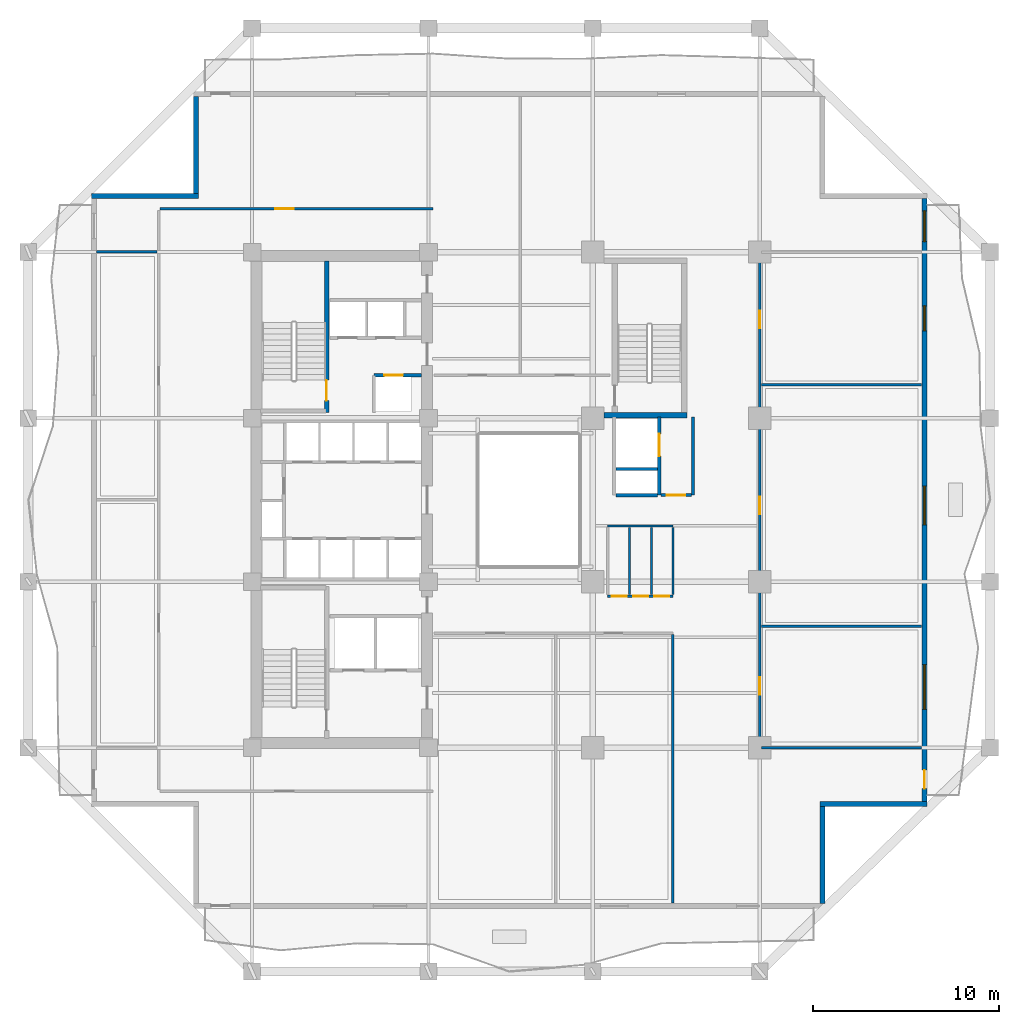
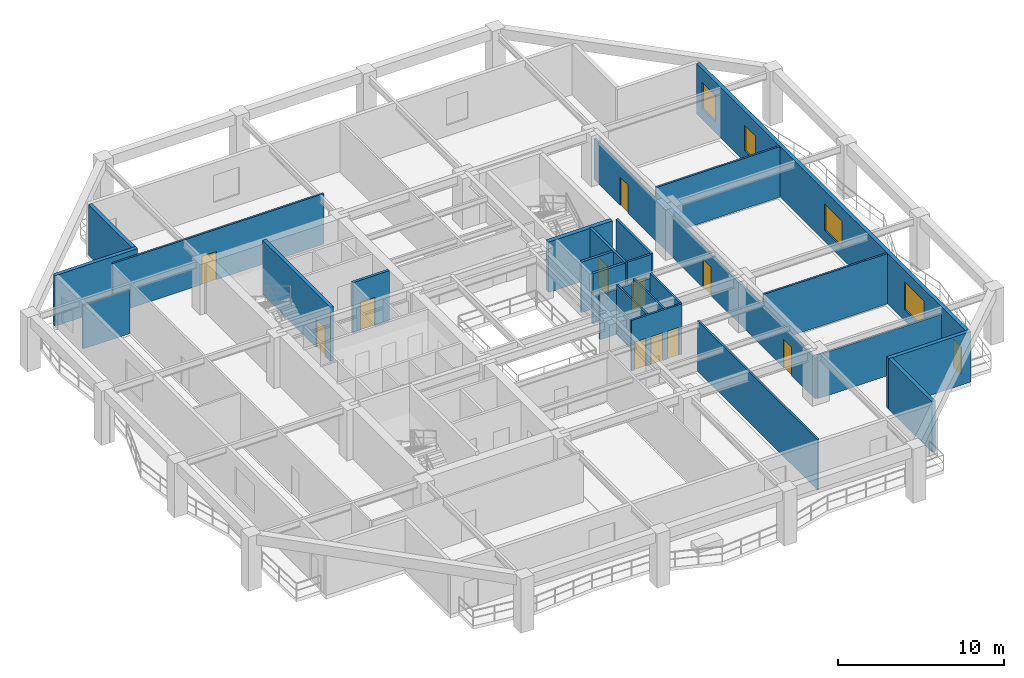
# One storey, part 4 of 12: 25 walls, 12 doors, 4 windows, 16 openings.
"""IFC4 building model written with IfcOpenShell, lengths in metres."""

from ifc_helpers import new_model, si_unit, direction, frame, frame_2d, origin, place, context, subcontext, project, spatial, rectangle, extrude, material, layer, layer_set, type_object, element, fill, save


model = new_model("IFC4")

# Units and contexts
model_context = context("Model", 3, precision=1e-05, world=origin(), true_north=direction((0.0, 1.0)))
body_context = subcontext(model_context, "Body", "Model", "MODEL_VIEW")
ifc_project = project(units=[si_unit("LENGTHUNIT", "METRE"), si_unit("AREAUNIT", "SQUARE_METRE"), si_unit("VOLUMEUNIT", "CUBIC_METRE"), si_unit("PLANEANGLEUNIT", "RADIAN"), si_unit("MASSUNIT", "GRAM", prefix="KILO")], contexts=[model_context])

# Site, building, storey
site_placement = place(None, origin())
site = spatial("IfcSite", under=ifc_project, at=site_placement, CompositionType="ELEMENT")
building_placement = place(site_placement, origin())
building = spatial("IfcBuilding", under=site, at=building_placement, Name="Kundavana Baori Tower", CompositionType="ELEMENT")
storey_placement = place(building_placement, frame((0.0, 0.0, 42.0)))
storey = spatial("IfcBuildingStorey", under=building, at=storey_placement, Name="L09", CompositionType="ELEMENT", Elevation=42.0)

# Wall, opening, door
ifc_material_1 = material(Name="Concrete C50/60", Category="concrete")
ifc_layer_1 = layer(ifc_material_1, 0.39990234375, Name="WL-CORE-400")
ifc_layer_set_1 = layer_set([ifc_layer_1], Name="Concrete C50/60")
wall_type_1 = type_object("IfcWallType", Name="WL-CORE-400", PredefinedType="SHEAR", material=ifc_layer_set_1)
wall_1_placement = place(storey_placement, frame((19.4599609375, 33.300048828125, 0.0), z_axis=(0.0, 0.0, 1.0), x_axis=(0.0, 1.0, 0.0)))
wall_1 = element("IfcWall", 1, at=wall_1_placement, inside=storey, type_object=wall_type_1, Name="WL-L09-ST2-E", PredefinedType="SHEAR", context=body_context, shape_type="SweptSolid", body=[
    extrude(rectangle(XDim=8.179931640625, YDim=0.239990234375, at=frame_2d((4.08984375, 0.0))), origin(), (0.0, 0.0, 1.0), 4.0),
])
opening_1_placement = place(wall_1_placement, frame((0.64990234375, 0.0, 0.0)))
opening_1 = element("IfcOpeningElement", 2, at=opening_1_placement, cuts=wall_1, Name="Opening FD-110", PredefinedType="OPENING", context=body_context, shape_type="SweptSolid", body=[
    extrude(rectangle(XDim=1.10009765625, YDim=2.10009765625, at=frame_2d((0.550048828125, 1.050048828125))), frame((0.0, 0.1298828125, 0.0), z_axis=(0.0, -1.0, 0.0), x_axis=(1.0, 0.0, 0.0)), (0.0, 0.0, 1.0), 0.260009765625),
])
ifc_material_2 = material(Name="Galvanised Steel Fire-Rated Door Leaf", Category="steel")
door_type_1 = type_object("IfcDoorType", Name="DR-FD120-1100", OperationType="NOTDEFINED", PredefinedType="DOOR", material=ifc_material_2)
door_1_placement = place(opening_1_placement, origin())
door_1 = element("IfcDoor", 3, at=door_1_placement, inside=storey, type_object=door_type_1, Name="DR-L09-ST2", OperationType="SINGLE_SWING_RIGHT", OverallHeight=2.10009765625, OverallWidth=1.10009765625, PredefinedType="DOOR", context=body_context, shape_type="SweptSolid", body=[
    extrude(rectangle(XDim=1.10009765625, YDim=2.10009765625, at=frame_2d((0.550048828125, 1.050048828125))), frame((0.0, 0.02490234375, 0.0), z_axis=(0.0, -1.0, 0.0), x_axis=(1.0, 0.0, 0.0)), (0.0, 0.0, 1.0), 0.050048828125),
])
fill(opening_1, door_1)

# Walls
ifc_material_3 = material(Name="Kiln-Fired Terracotta Brick-Slip Masonry on Concrete C40/50", Category="masonry")
ifc_layer_2 = layer(ifc_material_3, 0.260009765625, Name="WL-EXT-BRK-260")
ifc_layer_set_2 = layer_set([ifc_layer_2], Name="Kiln-Fired Terracotta Brick-Slip Masonry on Concrete C40/50")
wall_type_2 = type_object("IfcWallType", Name="WL-EXT-BRK-260", PredefinedType="SOLIDWALL", material=ifc_layer_set_2)
wall_2_placement = place(storey_placement, frame((46.169921875, 6.860107421875, 0.0), z_axis=(0.0, 0.0, 1.0), x_axis=(0.0, 1.0, 0.0)))
element("IfcWall", 4, at=wall_2_placement, inside=storey, type_object=wall_type_2, Name="L09 Exterior Insulated Facade Wall 02", PredefinedType="SOLIDWALL", context=body_context, shape_type="SweptSolid", body=[
    extrude(rectangle(XDim=5.239990234375, YDim=0.260009765625, at=frame_2d((2.6201171875, 0.0))), origin(), (0.0, 0.0, 1.0), 3.719970703125),
])
wall_3_placement = place(storey_placement, frame((46.0400390625, 12.22998046875, 0.0), z_axis=(0.0, 0.0, 1.0), x_axis=(1.0, 0.0, 0.0)))
element("IfcWall", 5, at=wall_3_placement, inside=storey, type_object=wall_type_2, Name="L09 Exterior Insulated Facade Wall 03", PredefinedType="SOLIDWALL", context=body_context, shape_type="SweptSolid", body=[
    extrude(rectangle(XDim=5.760009765625, YDim=0.260009765625, at=frame_2d((2.8798828125, 0.0))), origin(), (0.0, 0.0, 1.0), 3.719970703125),
])

# Wall, openings, door, windows
wall_4_placement = place(storey_placement, frame((51.669921875, 12.360107421875, 0.0), z_axis=(0.0, 0.0, 1.0), x_axis=(0.0, 1.0, 0.0)))
wall_4 = element("IfcWall", 6, at=wall_4_placement, inside=storey, type_object=wall_type_2, Name="L09 Exterior Insulated Facade Wall 04", PredefinedType="SOLIDWALL", context=body_context, shape_type="SweptSolid", body=[
    extrude(rectangle(XDim=32.47998046875, YDim=0.260009765625, at=frame_2d((16.239990234375, 0.0))), origin(), (0.0, 0.0, 1.0), 3.719970703125),
])
opening_2_placement = place(wall_4_placement, frame((0.68994140625, 0.0, 0.0)))
opening_2 = element("IfcOpeningElement", 7, at=opening_2_placement, cuts=wall_4, Name="Opening BD-1", PredefinedType="OPENING", context=body_context, shape_type="SweptSolid", body=[
    extrude(rectangle(XDim=1.0, YDim=2.050048828125, at=frame_2d((0.5, 1.02490234375))), frame((0.0, 0.14013671875, 0.0), z_axis=(0.0, -1.0, 0.0), x_axis=(1.0, 0.0, 0.0)), (0.0, 0.0, 1.0), 0.280029296875),
])
opening_3_placement = place(wall_4_placement, frame((4.965087890625, 0.0, 0.800048828125)))
opening_3 = element("IfcOpeningElement", 8, at=opening_3_placement, cuts=wall_4, Name="Opening W-04", PredefinedType="OPENING", context=body_context, shape_type="SweptSolid", body=[
    extrude(rectangle(XDim=2.39990234375, YDim=2.050048828125, at=frame_2d((1.199951171875, 1.02490234375))), frame((0.0, 0.14013671875, 0.0), z_axis=(0.0, -1.0, 0.0), x_axis=(1.0, 0.0, 0.0)), (0.0, 0.0, 1.0), 0.280029296875),
])
opening_4_placement = place(wall_4_placement, frame((14.889892578125, 0.0, 0.800048828125)))
opening_4 = element("IfcOpeningElement", 9, at=opening_4_placement, cuts=wall_4, Name="Opening W-05", PredefinedType="OPENING", context=body_context, shape_type="SweptSolid", body=[
    extrude(rectangle(XDim=2.10009765625, YDim=1.949951171875, at=frame_2d((1.050048828125, 0.97509765625))), frame((0.0, 0.14013671875, 0.0), z_axis=(0.0, -1.0, 0.0), x_axis=(1.0, 0.0, 0.0)), (0.0, 0.0, 1.0), 0.280029296875),
])
opening_5_placement = place(wall_4_placement, frame((25.340087890625, 0.0, 0.800048828125)))
opening_5 = element("IfcOpeningElement", 10, at=opening_5_placement, cuts=wall_4, Name="Opening W-07", PredefinedType="OPENING", context=body_context, shape_type="SweptSolid", body=[
    extrude(rectangle(XDim=1.35009765625, YDim=1.89990234375, at=frame_2d((0.675048828125, 0.949951171875))), frame((0.0, 0.14013671875, 0.0), z_axis=(0.0, -1.0, 0.0), x_axis=(1.0, 0.0, 0.0)), (0.0, 0.0, 1.0), 0.280029296875),
])
opening_6_placement = place(wall_4_placement, frame((30.155029296875, 0.0, 0.800048828125)))
opening_6 = element("IfcOpeningElement", 11, at=opening_6_placement, cuts=wall_4, Name="Opening W-08", PredefinedType="OPENING", context=body_context, shape_type="SweptSolid", body=[
    extrude(rectangle(XDim=1.64990234375, YDim=1.949951171875, at=frame_2d((0.824951171875, 0.97509765625))), frame((0.0, 0.14013671875, 0.0), z_axis=(0.0, -1.0, 0.0), x_axis=(1.0, 0.0, 0.0)), (0.0, 0.0, 1.0), 0.280029296875),
])
ifc_material_4 = material(Name="Architectural Patinated Bronze Metalwork")
door_type_2 = type_object("IfcDoorType", Name="DR-EXT-LOG-1000", OperationType="NOTDEFINED", PredefinedType="DOOR", material=ifc_material_4)
door_2_placement = place(opening_2_placement, frame((1.0, 0.0, 0.0), z_axis=(0.0, 0.0, 1.0), x_axis=(-1.0, 0.0, 0.0)))
door_2 = element("IfcDoor", 12, at=door_2_placement, inside=storey, type_object=door_type_2, Name="L09 Loggia Balcony Access Door E", OperationType="SINGLE_SWING_RIGHT", OverallHeight=2.050048828125, OverallWidth=1.0, PredefinedType="DOOR", context=body_context, shape_type="SweptSolid", body=[
    extrude(rectangle(XDim=1.0, YDim=2.050048828125, at=frame_2d((0.5, 1.02490234375))), frame((0.0, 0.02490234375, 0.0), z_axis=(0.0, -1.0, 0.0), x_axis=(1.0, 0.0, 0.0)), (0.0, 0.0, 1.0), 0.050048828125),
])
fill(opening_2, door_2)
ifc_material_5 = material(Name="Double-Glazed Solar-Control Low-E Insulated Glass", Category="glass")
window_type_1 = type_object("IfcWindowType", Name="WIN-LOG-1350x1900", PartitioningType="SINGLE_PANEL", PredefinedType="WINDOW", material=ifc_material_5)
window_1_placement = place(opening_5_placement, origin())
window_1 = element("IfcWindow", 13, at=window_1_placement, inside=storey, type_object=window_type_1, Name="L09 Recessed Loggia Window E-4", OverallHeight=1.89990234375, OverallWidth=1.35009765625, PartitioningType="SINGLE_PANEL", PredefinedType="WINDOW", context=body_context, shape_type="SweptSolid", body=[
    extrude(rectangle(XDim=1.35009765625, YDim=1.89990234375, at=frame_2d((0.675048828125, 0.949951171875))), frame((0.0, 0.030029296875, 0.0), z_axis=(0.0, -1.0, 0.0), x_axis=(1.0, 0.0, 0.0)), (0.0, 0.0, 1.0), 0.06005859375),
])
fill(opening_5, window_1)
ifc_material_6 = material(Name="Double-Glazed Solar-Control Low-E Insulated Glass", Category="glass")
window_type_2 = type_object("IfcWindowType", Name="WIN-LOG-1650x1950", PartitioningType="SINGLE_PANEL", PredefinedType="WINDOW", material=ifc_material_6)
window_2_placement = place(opening_6_placement, origin())
window_2 = element("IfcWindow", 14, at=window_2_placement, inside=storey, type_object=window_type_2, Name="L09 Recessed Loggia Window E-5", OverallHeight=1.949951171875, OverallWidth=1.64990234375, PartitioningType="SINGLE_PANEL", PredefinedType="WINDOW", context=body_context, shape_type="SweptSolid", body=[
    extrude(rectangle(XDim=1.64990234375, YDim=1.949951171875, at=frame_2d((0.824951171875, 0.97509765625))), frame((0.0, 0.030029296875, 0.0), z_axis=(0.0, -1.0, 0.0), x_axis=(1.0, 0.0, 0.0)), (0.0, 0.0, 1.0), 0.06005859375),
])
fill(opening_6, window_2)
ifc_material_7 = material(Name="Double-Glazed Solar-Control Low-E Insulated Glass", Category="glass")
window_type_3 = type_object("IfcWindowType", Name="WIN-LOG-2100x1950", PartitioningType="SINGLE_PANEL", PredefinedType="WINDOW", material=ifc_material_7)
window_3_placement = place(opening_4_placement, origin())
window_3 = element("IfcWindow", 15, at=window_3_placement, inside=storey, type_object=window_type_3, Name="L09 Recessed Loggia Window E-3", OverallHeight=1.949951171875, OverallWidth=2.10009765625, PartitioningType="SINGLE_PANEL", PredefinedType="WINDOW", context=body_context, shape_type="SweptSolid", body=[
    extrude(rectangle(XDim=2.10009765625, YDim=1.949951171875, at=frame_2d((1.050048828125, 0.97509765625))), frame((0.0, 0.030029296875, 0.0), z_axis=(0.0, -1.0, 0.0), x_axis=(1.0, 0.0, 0.0)), (0.0, 0.0, 1.0), 0.06005859375),
])
fill(opening_4, window_3)
ifc_material_8 = material(Name="Double-Glazed Solar-Control Low-E Insulated Glass", Category="glass")
window_type_4 = type_object("IfcWindowType", Name="WIN-LOG-2400x2050", PartitioningType="SINGLE_PANEL", PredefinedType="WINDOW", material=ifc_material_8)
window_4_placement = place(opening_3_placement, origin())
window_4 = element("IfcWindow", 16, at=window_4_placement, inside=storey, type_object=window_type_4, Name="L09 Recessed Loggia Window E-2", OverallHeight=2.050048828125, OverallWidth=2.39990234375, PartitioningType="SINGLE_PANEL", PredefinedType="WINDOW", context=body_context, shape_type="SweptSolid", body=[
    extrude(rectangle(XDim=2.39990234375, YDim=2.050048828125, at=frame_2d((1.199951171875, 1.02490234375))), frame((0.0, 0.030029296875, 0.0), z_axis=(0.0, -1.0, 0.0), x_axis=(1.0, 0.0, 0.0)), (0.0, 0.0, 1.0), 0.06005859375),
])
fill(opening_3, window_4)

# Walls
wall_5_placement = place(storey_placement, frame((12.429931640625, 50.340087890625, 0.0), z_axis=(0.0, 0.0, 1.0), x_axis=(0.0, -1.0, 0.0)))
element("IfcWall", 17, at=wall_5_placement, inside=storey, type_object=wall_type_2, Name="L09 Exterior Insulated Facade Wall 08", PredefinedType="SOLIDWALL", context=body_context, shape_type="SweptSolid", body=[
    extrude(rectangle(XDim=5.239990234375, YDim=0.260009765625, at=frame_2d((2.6201171875, 0.0))), origin(), (0.0, 0.0, 1.0), 3.719970703125),
])
wall_6_placement = place(storey_placement, frame((12.56005859375, 44.969970703125, 0.0), z_axis=(0.0, 0.0, 1.0), x_axis=(-1.0, 0.0, 0.0)))
element("IfcWall", 18, at=wall_6_placement, inside=storey, type_object=wall_type_2, Name="L09 Exterior Insulated Facade Wall 09", PredefinedType="SOLIDWALL", context=body_context, shape_type="SweptSolid", body=[
    extrude(rectangle(XDim=5.760009765625, YDim=0.260009765625, at=frame_2d((2.8798828125, 0.0))), origin(), (0.0, 0.0, 1.0), 3.719970703125),
])
ifc_material_9 = material(Name="Acoustic Gypsum Plasterboard on Galvanised Steel Studs", Category="steel")
ifc_layer_3 = layer(ifc_material_9, 0.135009765625, Name="WL-PART-135")
ifc_layer_set_3 = layer_set([ifc_layer_3], Name="Acoustic Gypsum Plasterboard on Galvanised Steel Studs")
wall_type_3 = type_object("IfcWallType", Name="WL-PART-135", PredefinedType="PARTITIONING", material=ifc_layer_set_3)
wall_7_placement = place(storey_placement, frame((38.1201171875, 6.8798828125, 0.0), z_axis=(0.0, 0.0, 1.0), x_axis=(0.0, 1.0, 0.0)))
element("IfcWall", 19, at=wall_7_placement, inside=storey, type_object=wall_type_3, Name="WL-L09-OFSEND", PredefinedType="PARTITIONING", context=body_context, shape_type="SweptSolid", body=[
    extrude(rectangle(XDim=14.460205078125, YDim=0.135009765625, at=frame_2d((7.22998046875, 0.0))), origin(), (0.0, 0.0, 1.0), 3.719970703125),
])

# Wall, openings, doors
wall_8_placement = place(storey_placement, frame((34.60009765625, 23.419921875, 0.0), z_axis=(0.0, 0.0, 1.0), x_axis=(1.0, 0.0, 0.0)))
wall_8 = element("IfcWall", 20, at=wall_8_placement, inside=storey, type_object=wall_type_3, Name="WL-L09-OFST", PredefinedType="PARTITIONING", context=body_context, shape_type="SweptSolid", body=[
    extrude(rectangle(XDim=3.52001953125, YDim=0.135009765625, at=frame_2d((1.760009765625, 0.0))), origin(), (0.0, 0.0, 1.0), 3.719970703125),
])
opening_7_placement = place(wall_8_placement, frame((0.219970703125, 0.0, 0.0)))
opening_7 = element("IfcOpeningElement", 21, at=opening_7_placement, cuts=wall_8, Name="Opening WD-080", PredefinedType="OPENING", context=body_context, shape_type="SweptSolid", body=[
    extrude(rectangle(XDim=0.800048828125, YDim=2.050048828125, at=frame_2d((0.39990234375, 1.02490234375))), frame((0.0, 0.07763671875, 0.0), z_axis=(0.0, -1.0, 0.0), x_axis=(1.0, 0.0, 0.0)), (0.0, 0.0, 1.0), 0.155029296875),
])
opening_8_placement = place(wall_8_placement, frame((1.3798828125, 0.0, 0.0)))
opening_8 = element("IfcOpeningElement", 22, at=opening_8_placement, cuts=wall_8, Name="Opening WD-080", PredefinedType="OPENING", context=body_context, shape_type="SweptSolid", body=[
    extrude(rectangle(XDim=0.800048828125, YDim=2.050048828125, at=frame_2d((0.39990234375, 1.02490234375))), frame((0.0, 0.07763671875, 0.0), z_axis=(0.0, -1.0, 0.0), x_axis=(1.0, 0.0, 0.0)), (0.0, 0.0, 1.0), 0.155029296875),
])
opening_9_placement = place(wall_8_placement, frame((2.52001953125, 0.0, 0.0)))
opening_9 = element("IfcOpeningElement", 23, at=opening_9_placement, cuts=wall_8, Name="Opening WD-080", PredefinedType="OPENING", context=body_context, shape_type="SweptSolid", body=[
    extrude(rectangle(XDim=0.800048828125, YDim=2.050048828125, at=frame_2d((0.39990234375, 1.02490234375))), frame((0.0, 0.07763671875, 0.0), z_axis=(0.0, -1.0, 0.0), x_axis=(1.0, 0.0, 0.0)), (0.0, 0.0, 1.0), 0.155029296875),
])
ifc_material_10 = material(Name="Engineered Teak Solid-Core Timber Veneer", Category="wood")
door_type_3 = type_object("IfcDoorType", Name="DR-WET-800", OperationType="NOTDEFINED", PredefinedType="DOOR", material=ifc_material_10)
door_3_placement = place(opening_7_placement, origin())
door_3 = element("IfcDoor", 24, at=door_3_placement, inside=storey, type_object=door_type_3, Name="DR-L09-WCM", OperationType="SINGLE_SWING_LEFT", OverallHeight=2.050048828125, OverallWidth=0.800048828125, PredefinedType="DOOR", context=body_context, shape_type="SweptSolid", body=[
    extrude(rectangle(XDim=0.800048828125, YDim=2.050048828125, at=frame_2d((0.39990234375, 1.02490234375))), frame((0.0, 0.02490234375, 0.0), z_axis=(0.0, -1.0, 0.0), x_axis=(1.0, 0.0, 0.0)), (0.0, 0.0, 1.0), 0.050048828125),
])
fill(opening_7, door_3)
door_4_placement = place(opening_8_placement, origin())
door_4 = element("IfcDoor", 25, at=door_4_placement, inside=storey, type_object=door_type_3, Name="DR-L09-WCA", OperationType="SINGLE_SWING_RIGHT", OverallHeight=2.050048828125, OverallWidth=0.800048828125, PredefinedType="DOOR", context=body_context, shape_type="SweptSolid", body=[
    extrude(rectangle(XDim=0.800048828125, YDim=2.050048828125, at=frame_2d((0.39990234375, 1.02490234375))), frame((0.0, 0.02490234375, 0.0), z_axis=(0.0, -1.0, 0.0), x_axis=(1.0, 0.0, 0.0)), (0.0, 0.0, 1.0), 0.050048828125),
])
fill(opening_8, door_4)
door_5_placement = place(opening_9_placement, origin())
door_5 = element("IfcDoor", 26, at=door_5_placement, inside=storey, type_object=door_type_3, Name="DR-L09-PNT", OperationType="SINGLE_SWING_LEFT", OverallHeight=2.050048828125, OverallWidth=0.800048828125, PredefinedType="DOOR", context=body_context, shape_type="SweptSolid", body=[
    extrude(rectangle(XDim=0.800048828125, YDim=2.050048828125, at=frame_2d((0.39990234375, 1.02490234375))), frame((0.0, 0.02490234375, 0.0), z_axis=(0.0, -1.0, 0.0), x_axis=(1.0, 0.0, 0.0)), (0.0, 0.0, 1.0), 0.050048828125),
])
fill(opening_9, door_5)

wall_9_placement = place(storey_placement, frame((42.800048828125, 15.25, 0.0), z_axis=(0.0, 0.0, 1.0), x_axis=(0.0, 1.0, 0.0)))
wall_9 = element("IfcWall", 27, at=wall_9_placement, inside=storey, type_object=wall_type_3, Name="WL-L09-OFE", PredefinedType="PARTITIONING", context=body_context, shape_type="SweptSolid", body=[
    extrude(rectangle(XDim=26.699951171875, YDim=0.135009765625, at=frame_2d((13.35009765625, 0.0))), origin(), (0.0, 0.0, 1.0), 3.02001953125),
])
opening_10_placement = place(wall_9_placement, frame((2.85009765625, 0.0, 0.0)))
opening_10 = element("IfcOpeningElement", 28, at=opening_10_placement, cuts=wall_9, Name="Opening ID-095", PredefinedType="OPENING", context=body_context, shape_type="SweptSolid", body=[
    extrude(rectangle(XDim=0.949951171875, YDim=2.080078125, at=frame_2d((0.47509765625, 1.0400390625))), frame((0.0, 0.07763671875, 0.0), z_axis=(0.0, -1.0, 0.0), x_axis=(1.0, 0.0, 0.0)), (0.0, 0.0, 1.0), 0.155029296875),
])
opening_11_placement = place(wall_9_placement, frame((12.574951171875, 0.0, 0.0)))
opening_11 = element("IfcOpeningElement", 29, at=opening_11_placement, cuts=wall_9, Name="Opening ID-095", PredefinedType="OPENING", context=body_context, shape_type="SweptSolid", body=[
    extrude(rectangle(XDim=0.949951171875, YDim=2.080078125, at=frame_2d((0.47509765625, 1.0400390625))), frame((0.0, 0.07763671875, 0.0), z_axis=(0.0, -1.0, 0.0), x_axis=(1.0, 0.0, 0.0)), (0.0, 0.0, 1.0), 0.155029296875),
])
opening_12_placement = place(wall_9_placement, frame((22.60009765625, 0.0, 0.0)))
opening_12 = element("IfcOpeningElement", 30, at=opening_12_placement, cuts=wall_9, Name="Opening ID-095", PredefinedType="OPENING", context=body_context, shape_type="SweptSolid", body=[
    extrude(rectangle(XDim=0.949951171875, YDim=2.080078125, at=frame_2d((0.47509765625, 1.0400390625))), frame((0.0, 0.07763671875, 0.0), z_axis=(0.0, -1.0, 0.0), x_axis=(1.0, 0.0, 0.0)), (0.0, 0.0, 1.0), 0.155029296875),
])
ifc_material_11 = material(Name="Engineered Teak Solid-Core Timber Veneer", Category="wood")
door_type_4 = type_object("IfcDoorType", Name="DR-INT-950", OperationType="NOTDEFINED", PredefinedType="DOOR", material=ifc_material_11)
door_6_placement = place(opening_10_placement, origin())
door_6 = element("IfcDoor", 31, at=door_6_placement, inside=storey, type_object=door_type_4, Name="DR-L09-OFE1", OperationType="SINGLE_SWING_RIGHT", OverallHeight=2.080078125, OverallWidth=0.949951171875, PredefinedType="DOOR", context=body_context, shape_type="SweptSolid", body=[
    extrude(rectangle(XDim=0.949951171875, YDim=2.080078125, at=frame_2d((0.47509765625, 1.0400390625))), frame((0.0, 0.02490234375, 0.0), z_axis=(0.0, -1.0, 0.0), x_axis=(1.0, 0.0, 0.0)), (0.0, 0.0, 1.0), 0.050048828125),
])
fill(opening_10, door_6)
door_7_placement = place(opening_11_placement, origin())
door_7 = element("IfcDoor", 32, at=door_7_placement, inside=storey, type_object=door_type_4, Name="DR-L09-OFE2", OperationType="SINGLE_SWING_LEFT", OverallHeight=2.080078125, OverallWidth=0.949951171875, PredefinedType="DOOR", context=body_context, shape_type="SweptSolid", body=[
    extrude(rectangle(XDim=0.949951171875, YDim=2.080078125, at=frame_2d((0.47509765625, 1.0400390625))), frame((0.0, 0.02490234375, 0.0), z_axis=(0.0, -1.0, 0.0), x_axis=(1.0, 0.0, 0.0)), (0.0, 0.0, 1.0), 0.050048828125),
])
fill(opening_11, door_7)
door_8_placement = place(opening_12_placement, origin())
door_8 = element("IfcDoor", 33, at=door_8_placement, inside=storey, type_object=door_type_4, Name="DR-L09-OFE3", OperationType="SINGLE_SWING_RIGHT", OverallHeight=2.080078125, OverallWidth=0.949951171875, PredefinedType="DOOR", context=body_context, shape_type="SweptSolid", body=[
    extrude(rectangle(XDim=0.949951171875, YDim=2.080078125, at=frame_2d((0.47509765625, 1.0400390625))), frame((0.0, 0.02490234375, 0.0), z_axis=(0.0, -1.0, 0.0), x_axis=(1.0, 0.0, 0.0)), (0.0, 0.0, 1.0), 0.050048828125),
])
fill(opening_12, door_8)

# Walls
wall_10_placement = place(storey_placement, frame((42.8798828125, 15.25, 0.0), z_axis=(0.0, 0.0, 1.0), x_axis=(1.0, 0.0, 0.0)))
element("IfcWall", 34, at=wall_10_placement, inside=storey, type_object=wall_type_3, Name="WL-L09-OFES", PredefinedType="PARTITIONING", context=body_context, shape_type="SweptSolid", body=[
    extrude(rectangle(XDim=8.64013671875, YDim=0.135009765625, at=frame_2d((4.320068359375, 0.0))), origin(), (0.0, 0.0, 1.0), 3.219970703125),
])
wall_11_placement = place(storey_placement, frame((7.080078125, 41.97998046875, 0.0), z_axis=(0.0, 0.0, 1.0), x_axis=(1.0, 0.0, 0.0)))
element("IfcWall", 35, at=wall_11_placement, inside=storey, type_object=wall_type_3, Name="WL-L09-OWN", PredefinedType="PARTITIONING", context=body_context, shape_type="SweptSolid", body=[
    extrude(rectangle(XDim=3.260009765625, YDim=0.135009765625, at=frame_2d((1.6298828125, 0.0))), origin(), (0.0, 0.0, 1.0), 3.219970703125),
])

# Wall, opening, door
wall_12_placement = place(storey_placement, frame((10.5, 44.280029296875, 0.0), z_axis=(0.0, 0.0, 1.0), x_axis=(1.0, 0.0, 0.0)))
wall_12 = element("IfcWall", 36, at=wall_12_placement, inside=storey, type_object=wall_type_3, Name="WL-L09-ONC", PredefinedType="PARTITIONING", context=body_context, shape_type="SweptSolid", body=[
    extrude(rectangle(XDim=14.699951171875, YDim=0.135009765625, at=frame_2d((7.35009765625, 0.0))), origin(), (0.0, 0.0, 1.0), 3.719970703125),
])
opening_13_placement = place(wall_12_placement, frame((6.199951171875, 0.0, 0.0)))
opening_13 = element("IfcOpeningElement", 37, at=opening_13_placement, cuts=wall_12, Name="Opening ID-100", PredefinedType="OPENING", context=body_context, shape_type="SweptSolid", body=[
    extrude(rectangle(XDim=1.0, YDim=2.080078125, at=frame_2d((0.5, 1.0400390625))), frame((0.0, 0.07763671875, 0.0), z_axis=(0.0, -1.0, 0.0), x_axis=(1.0, 0.0, 0.0)), (0.0, 0.0, 1.0), 0.155029296875),
])
ifc_material_12 = material(Name="Engineered Teak Solid-Core Timber Veneer", Category="wood")
door_type_5 = type_object("IfcDoorType", Name="DR-INT-1000", OperationType="NOTDEFINED", PredefinedType="DOOR", material=ifc_material_12)
door_9_placement = place(opening_13_placement, origin())
door_9 = element("IfcDoor", 38, at=door_9_placement, inside=storey, type_object=door_type_5, Name="DR-L09-ONWC", OperationType="SINGLE_SWING_RIGHT", OverallHeight=2.080078125, OverallWidth=1.0, PredefinedType="DOOR", context=body_context, shape_type="SweptSolid", body=[
    extrude(rectangle(XDim=1.0, YDim=2.080078125, at=frame_2d((0.5, 1.0400390625))), frame((0.0, 0.02490234375, 0.0), z_axis=(0.0, -1.0, 0.0), x_axis=(1.0, 0.0, 0.0)), (0.0, 0.0, 1.0), 0.050048828125),
])
fill(opening_13, door_9)

# Walls
for number, where, z_axis, x_axis, name in (
    (39, (42.8798828125, 21.800048828125, 0.0), (0.0, 0.0, 1.0), (1.0, 0.0, 0.0), "WL-L09-ED1"),
    (40, (42.8798828125, 34.800048828125, 0.0), (0.0, 0.0, 1.0), (1.0, 0.0, 0.0), "WL-L09-ED2"),
):
    element("IfcWall", number, at=place(storey_placement, frame(where, z_axis=z_axis, x_axis=x_axis)), inside=storey, type_object=wall_type_3, Name=name, PredefinedType="PARTITIONING", context=body_context, shape_type="SweptSolid", body=[
        extrude(rectangle(XDim=8.64013671875, YDim=0.135009765625, at=frame_2d((4.320068359375, 0.0))), origin(), (0.0, 0.0, 1.0), 3.719970703125),
    ])
ifc_material_13 = material(Name="Fire-Rated Gypsum Drywall on Galvanised Steel Studs", Category="steel")
ifc_layer_4 = layer(ifc_material_13, 0.14990234375, Name="WL-PART-150")
ifc_layer_set_4 = layer_set([ifc_layer_4], Name="Fire-Rated Gypsum Drywall on Galvanised Steel Studs")
wall_type_4 = type_object("IfcWallType", Name="WL-PART-150", PredefinedType="PARTITIONING", material=ifc_layer_set_4)
wall_13_placement = place(storey_placement, frame((39.199951171875, 28.860107421875, 0.0), z_axis=(0.0, 0.0, 1.0), x_axis=(0.0, 1.0, 0.0)))
element("IfcWall", 41, at=wall_13_placement, inside=storey, type_object=wall_type_4, Name="WL-L09-SVLOB-E", PredefinedType="PARTITIONING", context=body_context, shape_type="SweptSolid", body=[
    extrude(rectangle(XDim=4.219970703125, YDim=0.14990234375, at=frame_2d((2.10986328125, 0.0))), origin(), (0.0, 0.0, 1.0), 3.719970703125),
])

# Wall, opening, door
wall_14_placement = place(storey_placement, frame((37.47998046875, 28.860107421875, 0.0), z_axis=(0.0, 0.0, 1.0), x_axis=(1.0, 0.0, 0.0)))
wall_14 = element("IfcWall", 42, at=wall_14_placement, inside=storey, type_object=wall_type_4, Name="WL-L09-SVLOB-S", PredefinedType="PARTITIONING", context=body_context, shape_type="SweptSolid", body=[
    extrude(rectangle(XDim=1.64013671875, YDim=0.14990234375, at=frame_2d((0.820068359375, 0.0))), origin(), (0.0, 0.0, 1.0), 3.719970703125),
])
opening_14_placement = place(wall_14_placement, frame((0.300048828125, 0.0, 0.0)))
opening_14 = element("IfcOpeningElement", 43, at=opening_14_placement, cuts=wall_14, Name="Opening FD-100", PredefinedType="OPENING", context=body_context, shape_type="SweptSolid", body=[
    extrude(rectangle(XDim=1.0, YDim=2.10009765625, at=frame_2d((0.5, 1.050048828125))), frame((0.0, 0.0849609375, 0.0), z_axis=(0.0, -1.0, 0.0), x_axis=(1.0, 0.0, 0.0)), (0.0, 0.0, 1.0), 0.169921875),
])
ifc_material_14 = material(Name="Engineered Teak Fire-Rated Timber Door Leaf", Category="wood")
door_type_6 = type_object("IfcDoorType", Name="DR-FD60-1000", OperationType="NOTDEFINED", PredefinedType="DOOR", material=ifc_material_14)
door_10_placement = place(opening_14_placement, origin())
door_10 = element("IfcDoor", 44, at=door_10_placement, inside=storey, type_object=door_type_6, Name="DR-L09-SVLOB-OUT", OperationType="SINGLE_SWING_LEFT", OverallHeight=2.10009765625, OverallWidth=1.0, PredefinedType="DOOR", context=body_context, shape_type="SweptSolid", body=[
    extrude(rectangle(XDim=1.0, YDim=2.10009765625, at=frame_2d((0.5, 1.050048828125))), frame((0.0, 0.02490234375, 0.0), z_axis=(0.0, -1.0, 0.0), x_axis=(1.0, 0.0, 0.0)), (0.0, 0.0, 1.0), 0.050048828125),
])
fill(opening_14, door_10)

ifc_material_15 = material(Name="Autoclaved Aerated Concrete Blockwork Masonry", Category="masonry")
ifc_layer_5 = layer(ifc_material_15, 0.179931640625, Name="WL-SHAFT-180")
ifc_layer_set_5 = layer_set([ifc_layer_5], Name="Autoclaved Aerated Concrete Blockwork Masonry")
wall_type_5 = type_object("IfcWallType", Name="WL-SHAFT-180", PredefinedType="SOLIDWALL", material=ifc_layer_set_5)
wall_15_placement = place(storey_placement, frame((22.02001953125, 35.31005859375, 0.0), z_axis=(0.0, 0.0, 1.0), x_axis=(1.0, 0.0, 0.0)))
wall_15 = element("IfcWall", 45, at=wall_15_placement, inside=storey, type_object=wall_type_5, Name="WL-L09-LP11-N", PredefinedType="SOLIDWALL", context=body_context, shape_type="SweptSolid", body=[
    extrude(rectangle(XDim=2.56005859375, YDim=0.179931640625, at=frame_2d((1.280029296875, 0.0))), origin(), (0.0, 0.0, 1.0), 3.719970703125),
])
opening_15_placement = place(wall_15_placement, frame((0.550048828125, 0.0, 0.0)))
opening_15 = element("IfcOpeningElement", 46, at=opening_15_placement, cuts=wall_15, Name="Opening LD-100", PredefinedType="OPENING", context=body_context, shape_type="SweptSolid", body=[
    extrude(rectangle(XDim=1.0, YDim=2.10009765625, at=frame_2d((0.5, 1.050048828125))), frame((0.0, 0.10009765625, 0.0), z_axis=(0.0, -1.0, 0.0), x_axis=(1.0, 0.0, 0.0)), (0.0, 0.0, 1.0), 0.199951171875),
])
ifc_material_16 = material(Name="Galvanised Steel Fire-Rated Door Leaf", Category="steel")
door_type_7 = type_object("IfcDoorType", Name="DR-SLIDE-LD1000", OperationType="NOTDEFINED", PredefinedType="DOOR", material=ifc_material_16)
door_11_placement = place(opening_15_placement, origin())
door_11 = element("IfcDoor", 47, at=door_11_placement, inside=storey, type_object=door_type_7, Name="DR-L09-LD-LP11", OperationType="DOUBLE_DOOR_SLIDING", OverallHeight=2.10009765625, OverallWidth=1.0, PredefinedType="DOOR", context=body_context, shape_type="SweptSolid", body=[
    extrude(rectangle(XDim=1.0, YDim=2.10009765625, at=frame_2d((0.5, 1.050048828125))), frame((0.0, 0.02490234375, 0.0), z_axis=(0.0, -1.0, 0.0), x_axis=(1.0, 0.0, 0.0)), (0.0, 0.0, 1.0), 0.050048828125),
])
fill(opening_15, door_11)

wall_16_placement = place(storey_placement, frame((37.389892578125, 28.860107421875, 0.0), z_axis=(0.0, 0.0, 1.0), x_axis=(0.0, 1.0, 0.0)))
wall_16 = element("IfcWall", 48, at=wall_16_placement, inside=storey, type_object=wall_type_5, Name="WL-L09-SVL-E", PredefinedType="SOLIDWALL", context=body_context, shape_type="SweptSolid", body=[
    extrude(rectangle(XDim=4.219970703125, YDim=0.179931640625, at=frame_2d((2.10986328125, 0.0))), origin(), (0.0, 0.0, 1.0), 3.719970703125),
])
opening_16_placement = place(wall_16_placement, frame((2.10009765625, 0.0, 0.0)))
opening_16 = element("IfcOpeningElement", 49, at=opening_16_placement, cuts=wall_16, Name="Opening LD-120", PredefinedType="OPENING", context=body_context, shape_type="SweptSolid", body=[
    extrude(rectangle(XDim=1.199951171875, YDim=2.1201171875, at=frame_2d((0.60009765625, 1.06005859375))), frame((0.0, 0.10009765625, 0.0), z_axis=(0.0, -1.0, 0.0), x_axis=(1.0, 0.0, 0.0)), (0.0, 0.0, 1.0), 0.199951171875),
])
ifc_material_17 = material(Name="Galvanised Steel Fire-Rated Door Leaf", Category="steel")
door_type_8 = type_object("IfcDoorType", Name="DR-SLIDE-LD1200", OperationType="NOTDEFINED", PredefinedType="DOOR", material=ifc_material_17)
door_12_placement = place(opening_16_placement, frame((1.199951171875, 0.0, 0.0), z_axis=(0.0, 0.0, 1.0), x_axis=(-1.0, 0.0, 0.0)))
door_12 = element("IfcDoor", 50, at=door_12_placement, inside=storey, type_object=door_type_8, Name="DR-L09-LD-SVL1", OperationType="DOUBLE_DOOR_SLIDING", OverallHeight=2.1201171875, OverallWidth=1.199951171875, PredefinedType="DOOR", context=body_context, shape_type="SweptSolid", body=[
    extrude(rectangle(XDim=1.199951171875, YDim=2.1201171875, at=frame_2d((0.60009765625, 1.06005859375))), frame((0.0, 0.02490234375, 0.0), z_axis=(0.0, -1.0, 0.0), x_axis=(1.0, 0.0, 0.0)), (0.0, 0.0, 1.0), 0.050048828125),
])
fill(opening_16, door_12)

# Walls
for number, where, z_axis, x_axis, name in (
    (51, (35.050048828125, 28.860107421875, 0.0), (0.0, 0.0, 1.0), (1.0, 0.0, 0.0), "WL-L09-SVL-S"),
    (52, (35.050048828125, 30.27001953125, 0.0), (0.0, 0.0, 1.0), (1.0, 0.0, 0.0), "WL-L09-SVL-M"),
):
    element("IfcWall", number, at=place(storey_placement, frame(where, z_axis=z_axis, x_axis=x_axis)), inside=storey, type_object=wall_type_5, Name=name, PredefinedType="SOLIDWALL", context=body_context, shape_type="SweptSolid", body=[
        extrude(rectangle(XDim=2.25, YDim=0.179931640625, at=frame_2d((1.125, 0.0))), origin(), (0.0, 0.0, 1.0), 3.719970703125),
    ])
ifc_material_18 = material(Name="Concrete C50/60", Category="concrete")
ifc_layer_6 = layer(ifc_material_18, 0.300048828125, Name="WL-ST3-300")
ifc_layer_set_6 = layer_set([ifc_layer_6], Name="Concrete C50/60")
wall_type_6 = type_object("IfcWallType", Name="WL-ST3-300", PredefinedType="SHEAR", material=ifc_layer_set_6)
wall_17_placement = place(storey_placement, frame((34.39990234375, 33.159912109375, 0.0), z_axis=(0.0, 0.0, 1.0), x_axis=(1.0, 0.0, 0.0)))
element("IfcWall", 53, at=wall_17_placement, inside=storey, type_object=wall_type_6, Name="L09 Stair ST3 South Shear Wall", PredefinedType="SHEAR", context=body_context, shape_type="SweptSolid", body=[
    extrude(rectangle(XDim=4.47021484375, YDim=0.300048828125, at=frame_2d((2.235107421875, 0.0))), origin(), (0.0, 0.0, 1.0), 3.719970703125),
])
ifc_material_19 = material(Name="Autoclaved Aerated Concrete Blockwork Masonry", Category="masonry")
ifc_layer_7 = layer(ifc_material_19, 0.125, Name="WL-WET-120")
ifc_layer_set_7 = layer_set([ifc_layer_7], Name="Autoclaved Aerated Concrete Blockwork Masonry")
wall_type_7 = type_object("IfcWallType", Name="WL-WET-120", PredefinedType="PLUMBINGWALL", material=ifc_layer_set_7)
wall_18_placement = place(storey_placement, frame((34.60009765625, 27.199951171875, 0.0), z_axis=(0.0, 0.0, 1.0), x_axis=(1.0, 0.0, 0.0)))
element("IfcWall", 54, at=wall_18_placement, inside=storey, type_object=wall_type_7, Name="WL-L09-WCN", PredefinedType="PLUMBINGWALL", context=body_context, shape_type="SweptSolid", body=[
    extrude(rectangle(XDim=3.52001953125, YDim=0.125, at=frame_2d((1.760009765625, 0.0))), origin(), (0.0, 0.0, 1.0), 3.320068359375),
])
for number, where, z_axis, x_axis, name in (
    (55, (38.1201171875, 23.5, 0.0), (0.0, 0.0, 1.0), (0.0, 1.0, 0.0), "WL-L09-WCE"),
    (56, (35.780029296875, 23.5, 0.0), (0.0, 0.0, 1.0), (0.0, 1.0, 0.0), "WL-L09-WCD1"),
    (57, (36.9599609375, 23.5, 0.0), (0.0, 0.0, 1.0), (0.0, 1.0, 0.0), "WL-L09-WCD2"),
):
    element("IfcWall", number, at=place(storey_placement, frame(where, z_axis=z_axis, x_axis=x_axis)), inside=storey, type_object=wall_type_7, Name=name, PredefinedType="PLUMBINGWALL", context=body_context, shape_type="SweptSolid", body=[
        extrude(rectangle(XDim=3.6201171875, YDim=0.125, at=frame_2d((1.81005859375, 0.0))), origin(), (0.0, 0.0, 1.0), 3.719970703125),
    ])

save(model, "model.ifc")
